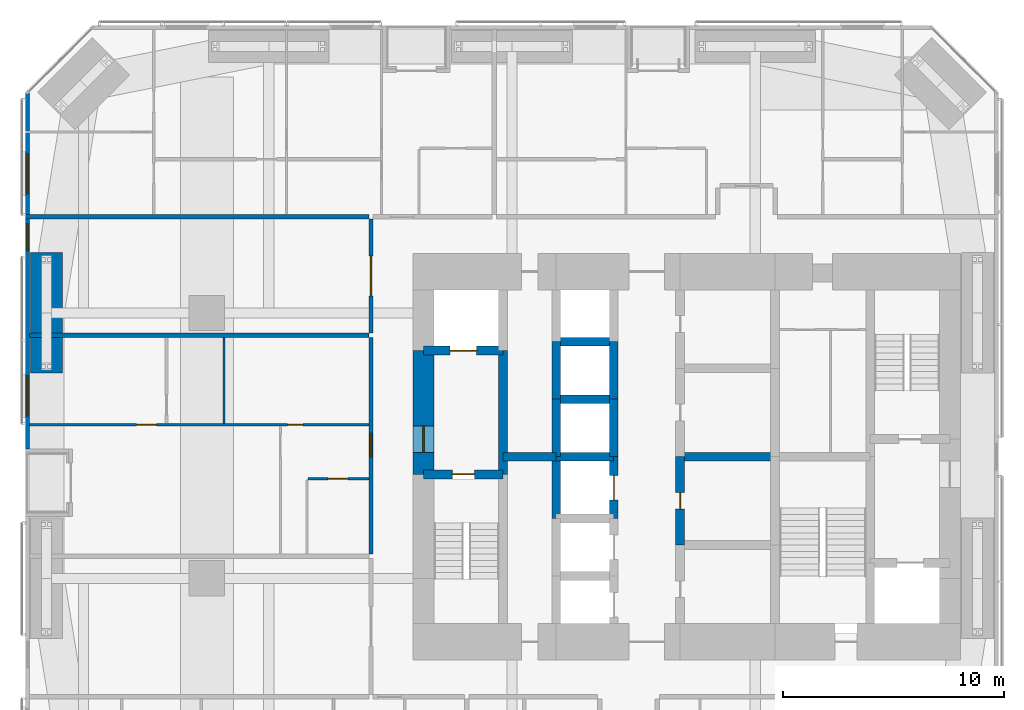
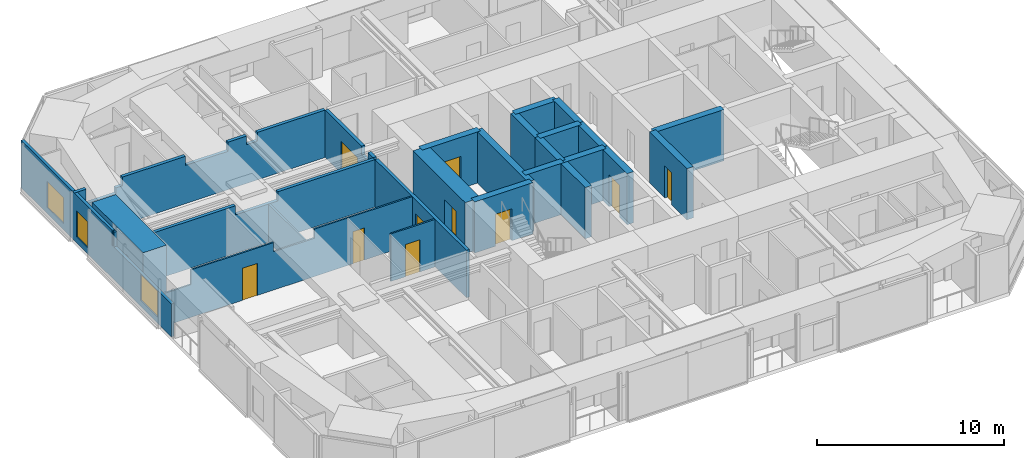
# One storey, part 18 of 23: 25 walls, 10 doors, 3 windows, 13 openings.
"""IFC4 building model written with IfcOpenShell, lengths in metres."""

from ifc_helpers import new_model, si_unit, direction, frame, frame_2d, origin, place, context, subcontext, project, spatial, polyline, rectangle, outline, extrude, material, layer, layer_set, constituent, constituent_set, type_object, element, fill, save


model = new_model("IFC4")

# Units and contexts
model_context = context("Model", 3, precision=1e-05, world=origin(), true_north=direction((0.0, 1.0)))
body_context = subcontext(model_context, "Body", "Model", "MODEL_VIEW")
ifc_project = project(units=[si_unit("LENGTHUNIT", "METRE"), si_unit("AREAUNIT", "SQUARE_METRE"), si_unit("VOLUMEUNIT", "CUBIC_METRE"), si_unit("PLANEANGLEUNIT", "RADIAN"), si_unit("MASSUNIT", "GRAM", prefix="KILO")], contexts=[model_context])

# Site, building, storey
site_placement = place(None, origin())
site = spatial("IfcSite", under=ifc_project, at=site_placement, CompositionType="ELEMENT")
building_placement = place(site_placement, origin())
building = spatial("IfcBuilding", under=site, at=building_placement, Name="Jalousie Tower", CompositionType="ELEMENT")
storey_placement = place(building_placement, frame((0.0, 0.0, 37.75)))
storey = spatial("IfcBuildingStorey", under=building, at=storey_placement, Name="L09", CompositionType="ELEMENT", Elevation=37.75)

# Walls
ifc_material_1 = material(Name="Concrete f'c 120 MPa", Category="concrete")
ifc_layer_1 = layer(ifc_material_1, 0.39990234375)
ifc_layer_set_1 = layer_set([ifc_layer_1], Name="Concrete f'c 120 MPa")
wall_type_1 = type_object("IfcWallType", Name="CORE WALL 400", PredefinedType="SHEAR", material=ifc_layer_set_1)
wall_1_placement = place(storey_placement, frame((23.60009765625, 17.699951171875, 0.0), z_axis=(0.0, 0.0, 1.0), x_axis=(0.0, 1.0, 0.0)))
element("IfcWall", 1, at=wall_1_placement, inside=storey, type_object=wall_type_1, Name="Core wall X23.6B L09", PredefinedType="SHEAR", context=body_context, shape_type="SweptSolid", body=[
    extrude(rectangle(XDim=5.60009765625, YDim=0.39990234375, at=frame_2d((2.800048828125, 0.0))), origin(), (0.0, 0.0, 1.0), 3.35009765625),
])
wall_2_placement = place(storey_placement, frame((26.0, 15.699951171875, 0.0), z_axis=(0.0, 0.0, 1.0), x_axis=(0.0, 1.0, 0.0)))
element("IfcWall", 2, at=wall_2_placement, inside=storey, type_object=wall_type_1, Name="Core wall X26C L09", PredefinedType="SHEAR", context=body_context, shape_type="SweptSolid", body=[
    extrude(rectangle(XDim=2.800048828125, YDim=0.39990234375, at=frame_2d((1.39990234375, 0.0))), origin(), (0.0, 0.0, 1.0), 3.35009765625),
])
wall_3_placement = place(storey_placement, frame((26.0, 18.5, 0.0), z_axis=(0.0, 0.0, 1.0), x_axis=(0.0, 1.0, 0.0)))
element("IfcWall", 3, at=wall_3_placement, inside=storey, type_object=wall_type_1, Name="Core wall X26D L09", PredefinedType="SHEAR", context=body_context, shape_type="SweptSolid", body=[
    extrude(rectangle(XDim=2.60009765625, YDim=0.39990234375, at=frame_2d((1.300048828125, 0.0))), origin(), (0.0, 0.0, 1.0), 3.35009765625),
])
wall_4_placement = place(storey_placement, frame((26.0, 21.10009765625, 0.0), z_axis=(0.0, 0.0, 1.0), x_axis=(0.0, 1.0, 0.0)))
element("IfcWall", 4, at=wall_4_placement, inside=storey, type_object=wall_type_1, Name="Core wall X26E L09", PredefinedType="SHEAR", context=body_context, shape_type="SweptSolid", body=[
    extrude(rectangle(XDim=2.599853515625, YDim=0.39990234375, at=frame_2d((1.2998046875, 0.0))), origin(), (0.0, 0.0, 1.0), 3.35009765625),
])

# Wall, opening, door
wall_5_placement = place(storey_placement, frame((28.60009765625, 15.699951171875, 0.0), z_axis=(0.0, 0.0, 1.0), x_axis=(0.0, 1.0, 0.0)))
wall_5 = element("IfcWall", 5, at=wall_5_placement, inside=storey, type_object=wall_type_1, Name="Core wall X28.6C L09", PredefinedType="SHEAR", context=body_context, shape_type="SweptSolid", body=[
    extrude(rectangle(XDim=2.800048828125, YDim=0.39990234375, at=frame_2d((1.39990234375, 0.0))), origin(), (0.0, 0.0, 1.0), 3.35009765625),
])
opening_1_placement = place(wall_5_placement, frame((0.85009765625, 0.0, 0.0)))
opening_1 = element("IfcOpeningElement", 6, at=opening_1_placement, cuts=wall_5, Name="Opening LD1", PredefinedType="OPENING", context=body_context, shape_type="SweptSolid", body=[
    extrude(rectangle(XDim=1.10009765625, YDim=2.10009765625, at=frame_2d((0.550048828125, 1.050048828125))), frame((0.0, 0.2099609375, 0.0), z_axis=(0.0, -1.0, 0.0), x_axis=(1.0, 0.0, 0.0)), (0.0, 0.0, 1.0), 0.419921875),
])
ifc_material_2 = material(Name="Steel lift landing door", Category="steel")
door_type_1 = type_object("IfcDoorType", Name="LIFT LANDING DOOR 1100", OperationType="SLIDING_TO_LEFT", PredefinedType="DOOR", material=ifc_material_2)
door_1_placement = place(opening_1_placement, origin())
door_1 = element("IfcDoor", 7, at=door_1_placement, inside=storey, type_object=door_type_1, Name="Lift P3 landing door", OperationType="SLIDING_TO_LEFT", OverallHeight=2.10009765625, OverallWidth=1.10009765625, PredefinedType="DOOR", context=body_context, shape_type="SweptSolid", body=[
    extrude(rectangle(XDim=1.10009765625, YDim=2.10009765625, at=frame_2d((0.550048828125, 1.050048828125))), frame((0.0, 0.02490234375, 0.0), z_axis=(0.0, -1.0, 0.0), x_axis=(1.0, 0.0, 0.0)), (0.0, 0.0, 1.0), 0.050048828125),
])
fill(opening_1, door_1)

# Walls
wall_6_placement = place(storey_placement, frame((28.60009765625, 18.5, 0.0), z_axis=(0.0, 0.0, 1.0), x_axis=(0.0, 1.0, 0.0)))
element("IfcWall", 8, at=wall_6_placement, inside=storey, type_object=wall_type_1, Name="Core wall X28.6D L09", PredefinedType="SHEAR", context=body_context, shape_type="SweptSolid", body=[
    extrude(rectangle(XDim=2.60009765625, YDim=0.39990234375, at=frame_2d((1.300048828125, 0.0))), origin(), (0.0, 0.0, 1.0), 3.35009765625),
])
wall_7_placement = place(storey_placement, frame((28.60009765625, 21.10009765625, 0.0), z_axis=(0.0, 0.0, 1.0), x_axis=(0.0, 1.0, 0.0)))
element("IfcWall", 9, at=wall_7_placement, inside=storey, type_object=wall_type_1, Name="Core wall X28.6E L09", PredefinedType="SHEAR", context=body_context, shape_type="SweptSolid", body=[
    extrude(rectangle(XDim=2.599853515625, YDim=0.39990234375, at=frame_2d((1.2998046875, 0.0))), origin(), (0.0, 0.0, 1.0), 3.35009765625),
])

# Wall, opening, door
wall_8_placement = place(storey_placement, frame((31.60009765625, 14.5, 0.0), z_axis=(0.0, 0.0, 1.0), x_axis=(0.0, 1.0, 0.0)))
wall_8 = element("IfcWall", 10, at=wall_8_placement, inside=storey, type_object=wall_type_1, Name="Core wall X31.6B L09", PredefinedType="SHEAR", context=body_context, shape_type="SweptSolid", body=[
    extrude(rectangle(XDim=4.0, YDim=0.39990234375, at=frame_2d((2.0, 0.0))), origin(), (0.0, 0.0, 1.0), 3.35009765625),
])
opening_2_placement = place(wall_8_placement, frame((1.625, 0.0, 0.0)))
opening_2 = element("IfcOpeningElement", 11, at=opening_2_placement, cuts=wall_8, Name="Opening D16", PredefinedType="OPENING", context=body_context, shape_type="SweptSolid", body=[
    extrude(rectangle(XDim=0.75, YDim=2.10009765625, at=frame_2d((0.375, 1.050048828125))), frame((0.0, 0.2099609375, 0.0), z_axis=(0.0, -1.0, 0.0), x_axis=(1.0, 0.0, 0.0)), (0.0, 0.0, 1.0), 0.419921875),
])
ifc_material_3 = material(Name="Steel fire door", Category="steel")
door_type_2 = type_object("IfcDoorType", Name="RISER DOOR 750", OperationType="SINGLE_SWING_LEFT", PredefinedType="DOOR", material=ifc_material_3)
door_2_placement = place(opening_2_placement, frame((0.75, 0.0, 0.0), z_axis=(0.0, 0.0, 1.0), x_axis=(-1.0, 0.0, 0.0)))
door_2 = element("IfcDoor", 12, at=door_2_placement, inside=storey, type_object=door_type_2, Name="Electrical Room door", OperationType="SINGLE_SWING_LEFT", OverallHeight=2.10009765625, OverallWidth=0.75, PredefinedType="DOOR", context=body_context, shape_type="SweptSolid", body=[
    extrude(rectangle(XDim=0.75, YDim=2.10009765625, at=frame_2d((0.375, 1.050048828125))), frame((0.0, 0.02490234375, 0.0), z_axis=(0.0, -1.0, 0.0), x_axis=(1.0, 0.0, 0.0)), (0.0, 0.0, 1.0), 0.050048828125),
])
fill(opening_2, door_2)

wall_9_placement = place(storey_placement, frame((20.0, 17.699951171875, 0.0), z_axis=(0.0, 0.0, 1.0), x_axis=(1.0, 0.0, 0.0)))
wall_9 = element("IfcWall", 13, at=wall_9_placement, inside=storey, type_object=wall_type_1, Name="Core wall Y20-17.7 L09", PredefinedType="SHEAR", context=body_context, shape_type="SweptSolid", body=[
    extrude(rectangle(XDim=3.60009765625, YDim=0.39990234375, at=frame_2d((1.800048828125, 0.0))), origin(), (0.0, 0.0, 1.0), 3.35009765625),
])
opening_3_placement = place(wall_9_placement, frame((1.300048828125, 0.0, 0.0)))
opening_3 = element("IfcOpeningElement", 14, at=opening_3_placement, cuts=wall_9, Name="Opening D10", PredefinedType="OPENING", context=body_context, shape_type="SweptSolid", body=[
    extrude(rectangle(XDim=1.0, YDim=2.10009765625, at=frame_2d((0.5, 1.050048828125))), frame((0.0, 0.2099609375, 0.0), z_axis=(0.0, -1.0, 0.0), x_axis=(1.0, 0.0, 0.0)), (0.0, 0.0, 1.0), 0.419921875),
])
ifc_material_4 = material(Name="Steel fire door", Category="steel")
door_type_3 = type_object("IfcDoorType", Name="STAIR DOOR 1000", OperationType="SINGLE_SWING_LEFT", PredefinedType="DOOR", material=ifc_material_4)
door_3_placement = place(opening_3_placement, frame((1.0, 0.0, 0.0), z_axis=(0.0, 0.0, 1.0), x_axis=(-1.0, 0.0, 0.0)))
door_3 = element("IfcDoor", 15, at=door_3_placement, inside=storey, type_object=door_type_3, Name="Exit stair A door", OperationType="SINGLE_SWING_RIGHT", OverallHeight=2.10009765625, OverallWidth=1.0, PredefinedType="DOOR", context=body_context, shape_type="SweptSolid", body=[
    extrude(rectangle(XDim=1.0, YDim=2.10009765625, at=frame_2d((0.5, 1.050048828125))), frame((0.0, 0.02490234375, 0.0), z_axis=(0.0, -1.0, 0.0), x_axis=(1.0, 0.0, 0.0)), (0.0, 0.0, 1.0), 0.050048828125),
])
fill(opening_3, door_3)

wall_10_placement = place(storey_placement, frame((20.0, 23.300048828125, 0.0), z_axis=(0.0, 0.0, 1.0), x_axis=(1.0, 0.0, 0.0)))
wall_10 = element("IfcWall", 16, at=wall_10_placement, inside=storey, type_object=wall_type_1, Name="Core wall Y20-23.3 L09", PredefinedType="SHEAR", context=body_context, shape_type="SweptSolid", body=[
    extrude(rectangle(XDim=3.60009765625, YDim=0.39990234375, at=frame_2d((1.800048828125, 0.0))), origin(), (0.0, 0.0, 1.0), 3.35009765625),
])
opening_4_placement = place(wall_10_placement, frame((1.199951171875, 0.0, 0.0)))
opening_4 = element("IfcOpeningElement", 17, at=opening_4_placement, cuts=wall_10, Name="Opening LD2", PredefinedType="OPENING", context=body_context, shape_type="SweptSolid", body=[
    extrude(rectangle(XDim=1.199951171875, YDim=2.10009765625, at=frame_2d((0.60009765625, 1.050048828125))), frame((0.0, 0.2099609375, 0.0), z_axis=(0.0, -1.0, 0.0), x_axis=(1.0, 0.0, 0.0)), (0.0, 0.0, 1.0), 0.419921875),
])
ifc_material_5 = material(Name="Steel lift landing door", Category="steel")
door_type_4 = type_object("IfcDoorType", Name="LIFT LANDING DOOR 1200", OperationType="SLIDING_TO_LEFT", PredefinedType="DOOR", material=ifc_material_5)
door_4_placement = place(opening_4_placement, origin())
door_4 = element("IfcDoor", 18, at=door_4_placement, inside=storey, type_object=door_type_4, Name="Lift F1 landing door", OperationType="SLIDING_TO_LEFT", OverallHeight=2.10009765625, OverallWidth=1.199951171875, PredefinedType="DOOR", context=body_context, shape_type="SweptSolid", body=[
    extrude(rectangle(XDim=1.199951171875, YDim=2.10009765625, at=frame_2d((0.60009765625, 1.050048828125))), frame((0.0, 0.02490234375, 0.0), z_axis=(0.0, -1.0, 0.0), x_axis=(1.0, 0.0, 0.0)), (0.0, 0.0, 1.0), 0.050048828125),
])
fill(opening_4, door_4)

# Walls
wall_11_placement = place(storey_placement, frame((23.60009765625, 18.5, 0.0), z_axis=(0.0, 0.0, 1.0), x_axis=(1.0, 0.0, 0.0)))
element("IfcWall", 19, at=wall_11_placement, inside=storey, type_object=wall_type_1, Name="Core wall Y23.6-18.5 L09", PredefinedType="SHEAR", context=body_context, shape_type="SweptSolid", body=[
    extrude(rectangle(XDim=2.39990234375, YDim=0.39990234375, at=frame_2d((1.199951171875, 0.0))), origin(), (0.0, 0.0, 1.0), 3.35009765625),
])
for number, where, z_axis, x_axis, name in (
    (20, (26.0, 18.5, 0.0), (0.0, 0.0, 1.0), (1.0, 0.0, 0.0), "Core wall Y26-18.5 L09"),
    (21, (26.0, 21.10009765625, 0.0), (0.0, 0.0, 1.0), (1.0, 0.0, 0.0), "Core wall Y26-21.1 L09"),
    (22, (26.0, 23.699951171875, 0.0), (0.0, 0.0, 1.0), (1.0, 0.0, 0.0), "Core wall Y26-23.7 L09"),
):
    element("IfcWall", number, at=place(storey_placement, frame(where, z_axis=z_axis, x_axis=x_axis)), inside=storey, type_object=wall_type_1, Name=name, PredefinedType="SHEAR", context=body_context, shape_type="SweptSolid", body=[
        extrude(rectangle(XDim=2.60009765625, YDim=0.39990234375, at=frame_2d((1.300048828125, 0.0))), origin(), (0.0, 0.0, 1.0), 3.35009765625),
    ])
wall_12_placement = place(storey_placement, frame((31.60009765625, 18.5, 0.0), z_axis=(0.0, 0.0, 1.0), x_axis=(1.0, 0.0, 0.0)))
element("IfcWall", 23, at=wall_12_placement, inside=storey, type_object=wall_type_1, Name="Core wall Y31.6-18.5 L09", PredefinedType="SHEAR", context=body_context, shape_type="SweptSolid", body=[
    extrude(rectangle(XDim=4.2998046875, YDim=0.39990234375, at=frame_2d((2.14990234375, 0.0))), origin(), (0.0, 0.0, 1.0), 3.35009765625),
])

# Wall, opening, door
ifc_material_6 = material(Name="Concrete f'c 120 MPa", Category="concrete")
ifc_layer_2 = layer(ifc_material_6, 0.949951171875)
ifc_layer_set_2 = layer_set([ifc_layer_2], Name="Concrete f'c 120 MPa")
wall_type_2 = type_object("IfcWallType", Name="CORE WALL 950", PredefinedType="SHEAR", material=ifc_layer_set_2)
wall_13_placement = place(storey_placement, frame((20.0, 23.300048828125, 0.0), z_axis=(0.0, 0.0, 1.0), x_axis=(0.0, -1.0, 0.0)))
wall_13 = element("IfcWall", 24, at=wall_13_placement, inside=storey, type_object=wall_type_2, Name="Core wall WB L09", PredefinedType="SHEAR", context=body_context, shape_type="SweptSolid", body=[
    extrude(rectangle(XDim=5.60009765625, YDim=0.949951171875, at=frame_2d((2.800048828125, 0.0))), origin(), (0.0, 0.0, 1.0), 3.35009765625),
])
opening_5_placement = place(wall_13_placement, frame((3.39990234375, 0.0, 0.0)))
opening_5 = element("IfcOpeningElement", 25, at=opening_5_placement, cuts=wall_13, Name="Opening D11", PredefinedType="OPENING", context=body_context, shape_type="SweptSolid", body=[
    extrude(rectangle(XDim=1.199951171875, YDim=2.199951171875, at=frame_2d((0.60009765625, 1.10009765625))), frame((0.0, 0.48486328125, 0.0), z_axis=(0.0, -1.0, 0.0), x_axis=(1.0, 0.0, 0.0)), (0.0, 0.0, 1.0), 0.969970703125),
])
ifc_material_7 = material(Name="Steel fire door", Category="steel")
door_type_5 = type_object("IfcDoorType", Name="FIRE DOOR 1200", OperationType="SINGLE_SWING_LEFT", PredefinedType="DOOR", material=ifc_material_7)
door_5_placement = place(opening_5_placement, origin())
door_5 = element("IfcDoor", 26, at=door_5_placement, inside=storey, type_object=door_type_5, Name="Fire-fighting lobby A door", OperationType="SINGLE_SWING_RIGHT", OverallHeight=2.199951171875, OverallWidth=1.199951171875, PredefinedType="DOOR", context=body_context, shape_type="SweptSolid", body=[
    extrude(rectangle(XDim=1.199951171875, YDim=2.199951171875, at=frame_2d((0.60009765625, 1.10009765625))), frame((0.0, 0.02490234375, 0.0), z_axis=(0.0, -1.0, 0.0), x_axis=(1.0, 0.0, 0.0)), (0.0, 0.0, 1.0), 0.050048828125),
])
fill(opening_5, door_5)

ifc_material_8 = material(Name="Concrete block ASTM C90", Category="concrete")
ifc_constituent_1 = constituent(ifc_material_8, Name="Body")
ifc_material_9 = material(Name="Render")
ifc_constituent_2 = constituent(ifc_material_9, Name="Finish")
ifc_constituent_set_1 = constituent_set(constituents=[ifc_constituent_1, ifc_constituent_2])
wall_type_3 = type_object("IfcWallType", Name="CORRIDOR WALL 200", PredefinedType="PARTITIONING", material=ifc_constituent_set_1)
wall_14_placement = place(storey_placement, frame((17.625, 14.10009765625, 0.0), z_axis=(0.0, 0.0, 1.0), x_axis=(0.0, 1.0, 0.0)))
wall_14 = element("IfcWall", 27, at=wall_14_placement, inside=storey, type_object=wall_type_3, Name="Corridor Wall 200 L09", PredefinedType="PARTITIONING", context=body_context, shape_type="SweptSolid", body=[
    extrude(rectangle(XDim=9.7998046875, YDim=0.199951171875, at=frame_2d((4.89990234375, 0.0))), origin(), (0.0, 0.0, 1.0), 3.110107421875),
])
opening_6_placement = place(wall_14_placement, frame((4.39990234375, 0.0, 0.0)))
opening_6 = element("IfcOpeningElement", 28, at=opening_6_placement, cuts=wall_14, Name="Opening D1", PredefinedType="OPENING", context=body_context, shape_type="SweptSolid", body=[
    extrude(rectangle(XDim=1.050048828125, YDim=2.199951171875, at=frame_2d((0.52490234375, 1.10009765625))), frame((0.0, 0.10986328125, 0.0), z_axis=(0.0, -1.0, 0.0), x_axis=(1.0, 0.0, 0.0)), (0.0, 0.0, 1.0), 0.219970703125),
])
ifc_material_10 = material(Name="Timber fire door", Category="wood")
door_type_6 = type_object("IfcDoorType", Name="APARTMENT ENTRANCE DOOR 1050", OperationType="SINGLE_SWING_LEFT", PredefinedType="DOOR", material=ifc_material_10)
door_6_placement = place(opening_6_placement, origin())
door_6 = element("IfcDoor", 29, at=door_6_placement, inside=storey, type_object=door_type_6, Name="Apartment 0906 entrance", OperationType="SINGLE_SWING_RIGHT", OverallHeight=2.199951171875, OverallWidth=1.050048828125, PredefinedType="DOOR", context=body_context, shape_type="SweptSolid", body=[
    extrude(rectangle(XDim=1.050048828125, YDim=2.199951171875, at=frame_2d((0.52490234375, 1.10009765625))), frame((0.0, 0.02490234375, 0.0), z_axis=(0.0, -1.0, 0.0), x_axis=(1.0, 0.0, 0.0)), (0.0, 0.0, 1.0), 0.050048828125),
])
fill(opening_6, door_6)

wall_15_placement = place(storey_placement, frame((17.625, 24.10009765625, 0.0), z_axis=(0.0, 0.0, 1.0), x_axis=(0.0, 1.0, 0.0)))
wall_15 = element("IfcWall", 30, at=wall_15_placement, inside=storey, type_object=wall_type_3, Name="Corridor Wall 200 L09", PredefinedType="PARTITIONING", context=body_context, shape_type="SweptSolid", body=[
    extrude(outline(polyline([(0.0, 0.0), (5.14990234375, 0.0), (5.14990234375, 3.110107421875), (1.2373046875, 3.110107421875), (1.2373046875, 2.541015625), (0.5625, 2.541015625), (0.5625, 3.110107421875), (0.0, 3.110107421875), (0.0, 0.0)])), frame((0.0, 0.10009765625, 0.0), z_axis=(0.0, -1.0, 0.0), x_axis=(1.0, 0.0, 0.0)), (0.0, 0.0, 1.0), 0.199951171875),
])
opening_7_placement = place(wall_15_placement, frame((1.675048828125, 0.0, 0.0)))
opening_7 = element("IfcOpeningElement", 31, at=opening_7_placement, cuts=wall_15, Name="Opening D22", PredefinedType="OPENING", context=body_context, shape_type="SweptSolid", body=[
    extrude(rectangle(XDim=1.800048828125, YDim=2.10009765625, at=frame_2d((0.89990234375, 1.050048828125))), frame((0.0, 0.10986328125, 0.0), z_axis=(0.0, -1.0, 0.0), x_axis=(1.0, 0.0, 0.0)), (0.0, 0.0, 1.0), 0.219970703125),
])
ifc_material_11 = material(Name="Timber fire door", Category="wood")
door_type_7 = type_object("IfcDoorType", Name="CORRIDOR DOUBLE DOOR 1800", OperationType="DOUBLE_DOOR_SINGLE_SWING", PredefinedType="DOOR", material=ifc_material_11)
door_7_placement = place(opening_7_placement, origin())
door_7 = element("IfcDoor", 32, at=door_7_placement, inside=storey, type_object=door_type_7, Name="Residents' library door", OperationType="DOUBLE_DOOR_SINGLE_SWING", OverallHeight=2.10009765625, OverallWidth=1.800048828125, PredefinedType="DOOR", context=body_context, shape_type="SweptSolid", body=[
    extrude(rectangle(XDim=1.800048828125, YDim=2.10009765625, at=frame_2d((0.89990234375, 1.050048828125))), frame((0.0, 0.02490234375, 0.0), z_axis=(0.0, -1.0, 0.0), x_axis=(1.0, 0.0, 0.0)), (0.0, 0.0, 1.0), 0.050048828125),
])
fill(opening_7, door_7)

# Wall, openings, windows
ifc_material_12 = material(Name="Concrete f'c 40 MPa", Category="concrete")
ifc_constituent_3 = constituent(ifc_material_12, Name="Body")
ifc_material_13 = material(Name="Render, pastel coral")
ifc_constituent_4 = constituent(ifc_material_13, Name="Finish")
ifc_constituent_set_2 = constituent_set(constituents=[ifc_constituent_3, ifc_constituent_4])
wall_type_4 = type_object("IfcWallType", Name="EXTERNAL WALL 175 CORAL RENDER", PredefinedType="SOLIDWALL", material=ifc_constituent_set_2)
wall_16_placement = place(storey_placement, frame((2.08740234375, 34.94873046875, 0.0), z_axis=(0.0, 0.0, 1.0), x_axis=(0.0, -1.0, 0.0)))
wall_16 = element("IfcWall", 33, at=wall_16_placement, inside=storey, type_object=wall_type_4, Name="External Wall 175 Coral Render L09", PredefinedType="SOLIDWALL", context=body_context, shape_type="SweptSolid", body=[
    extrude(outline(polyline([(0.0, 0.0), (16.0986328125, 0.0), (16.0986328125, 2.14990234375), (9.94873046875, 2.14990234375), (9.94873046875, 3.110107421875), (9.822998046875, 3.110107421875), (9.822998046875, 2.14990234375), (9.72998046875, 2.14990234375), (9.72998046875, 3.110107421875), (0.0, 3.110107421875), (0.0, 0.0)])), frame((0.0, 0.08740234375, 0.0), z_axis=(0.0, -1.0, 0.0), x_axis=(1.0, 0.0, 0.0)), (0.0, 0.0, 1.0), 0.175048828125),
])
opening_8_placement = place(wall_16_placement, frame((2.75732421875, 0.0, 0.39990234375)))
opening_8 = element("IfcOpeningElement", 34, at=opening_8_placement, cuts=wall_16, Name="Opening W-BED170", PredefinedType="OPENING", context=body_context, shape_type="SweptSolid", body=[
    extrude(rectangle(XDim=1.800048828125, YDim=1.699951171875, at=frame_2d((0.89990234375, 0.85009765625))), frame((0.0, 0.097412109375, 0.0), z_axis=(0.0, -1.0, 0.0), x_axis=(1.0, 0.0, 0.0)), (0.0, 0.0, 1.0), 0.195068359375),
])
opening_9_placement = place(wall_16_placement, frame((5.923583984375, 0.0, 0.39990234375)))
opening_9 = element("IfcOpeningElement", 35, at=opening_9_placement, cuts=wall_16, Name="Opening W-COR170", PredefinedType="OPENING", context=body_context, shape_type="SweptSolid", body=[
    extrude(rectangle(XDim=1.199951171875, YDim=1.699951171875, at=frame_2d((0.60009765625, 0.85009765625))), frame((0.0, 0.097412109375, 0.0), z_axis=(0.0, -1.0, 0.0), x_axis=(1.0, 0.0, 0.0)), (0.0, 0.0, 1.0), 0.195068359375),
])
opening_10_placement = place(wall_16_placement, frame((12.798583984375, 0.0, 0.39990234375)))
opening_10 = element("IfcOpeningElement", 36, at=opening_10_placement, cuts=wall_16, Name="Opening W-BED170", PredefinedType="OPENING", context=body_context, shape_type="SweptSolid", body=[
    extrude(rectangle(XDim=1.800048828125, YDim=1.699951171875, at=frame_2d((0.89990234375, 0.85009765625))), frame((0.0, 0.097412109375, 0.0), z_axis=(0.0, -1.0, 0.0), x_axis=(1.0, 0.0, 0.0)), (0.0, 0.0, 1.0), 0.195068359375),
])
ifc_material_14 = material(Name="Aluminium frame, impact-rated glazing", Category="aluminium")
window_type_1 = type_object("IfcWindowType", Name="WINDOW BED 1800x1700", PartitioningType="SINGLE_PANEL", PredefinedType="WINDOW", material=ifc_material_14)
window_1_placement = place(opening_8_placement, origin())
window_1 = element("IfcWindow", 37, at=window_1_placement, inside=storey, type_object=window_type_1, Name="Apartment 0904 bedroom 1 window", OverallHeight=1.699951171875, OverallWidth=1.800048828125, PartitioningType="SINGLE_PANEL", PredefinedType="WINDOW", context=body_context, shape_type="SweptSolid", body=[
    extrude(rectangle(XDim=1.800048828125, YDim=1.699951171875, at=frame_2d((0.89990234375, 0.85009765625))), frame((0.0, 0.030029296875, 0.0), z_axis=(0.0, -1.0, 0.0), x_axis=(1.0, 0.0, 0.0)), (0.0, 0.0, 1.0), 0.06005859375),
])
fill(opening_8, window_1)
window_2_placement = place(opening_10_placement, origin())
window_2 = element("IfcWindow", 38, at=window_2_placement, inside=storey, type_object=window_type_1, Name="Apartment 0906 bedroom 1 window", OverallHeight=1.699951171875, OverallWidth=1.800048828125, PartitioningType="SINGLE_PANEL", PredefinedType="WINDOW", context=body_context, shape_type="SweptSolid", body=[
    extrude(rectangle(XDim=1.800048828125, YDim=1.699951171875, at=frame_2d((0.89990234375, 0.85009765625))), frame((0.0, 0.030029296875, 0.0), z_axis=(0.0, -1.0, 0.0), x_axis=(1.0, 0.0, 0.0)), (0.0, 0.0, 1.0), 0.06005859375),
])
fill(opening_10, window_2)
ifc_material_15 = material(Name="Aluminium frame, impact-rated glazing", Category="aluminium")
window_type_2 = type_object("IfcWindowType", Name="WINDOW COR 1200x1700", PartitioningType="SINGLE_PANEL", PredefinedType="WINDOW", material=ifc_material_15)
window_3_placement = place(opening_9_placement, origin())
window_3 = element("IfcWindow", 39, at=window_3_placement, inside=storey, type_object=window_type_2, Name="Residents' library window", OverallHeight=1.699951171875, OverallWidth=1.199951171875, PartitioningType="SINGLE_PANEL", PredefinedType="WINDOW", context=body_context, shape_type="SweptSolid", body=[
    extrude(rectangle(XDim=1.199951171875, YDim=1.699951171875, at=frame_2d((0.60009765625, 0.85009765625))), frame((0.0, 0.030029296875, 0.0), z_axis=(0.0, -1.0, 0.0), x_axis=(1.0, 0.0, 0.0)), (0.0, 0.0, 1.0), 0.06005859375),
])
fill(opening_9, window_3)

# Wall, openings, doors
ifc_material_16 = material(Name="Gypsum board", Category="gypsum")
ifc_constituent_5 = constituent(ifc_material_16, Name="Body")
ifc_material_17 = material(Name="Light-gauge steel studs ASTM A653 SS Grade 33", Category="steel")
ifc_constituent_6 = constituent(ifc_material_17, Name="Framing")
ifc_constituent_set_3 = constituent_set(constituents=[ifc_constituent_5, ifc_constituent_6])
wall_type_5 = type_object("IfcWallType", Name="PARTITION 100", PredefinedType="PARTITIONING", material=ifc_constituent_set_3)
wall_17_placement = place(storey_placement, frame((2.175048828125, 19.949951171875, 0.0), z_axis=(0.0, 0.0, 1.0), x_axis=(1.0, 0.0, 0.0)))
wall_17 = element("IfcWall", 40, at=wall_17_placement, inside=storey, type_object=wall_type_5, Name="Partition 100 L09", PredefinedType="PARTITIONING", context=body_context, shape_type="SweptSolid", body=[
    extrude(outline(polyline([(0.0, 0.0), (15.349853515625, 0.0), (15.35009765625, 3.110107421875), (9.284912109375, 3.110107421875), (9.284912109375, 2.510009765625), (6.764892578125, 2.510009765625), (6.764892578125, 3.110107421875), (1.635009765625, 3.110107421875), (1.635009765625, 2.14990234375), (0.0, 2.14990234375), (0.0, 3.110107421875), (0.0, 0.0)])), frame((0.0, 0.050048828125, 0.0), z_axis=(0.0, -1.0, 0.0), x_axis=(1.0, 0.0, 0.0)), (0.0, 0.0, 1.0), 0.10009765625),
])
opening_11_placement = place(wall_17_placement, frame((4.85009765625, 0.0, 0.0)))
opening_11 = element("IfcOpeningElement", 41, at=opening_11_placement, cuts=wall_17, Name="Opening D2", PredefinedType="OPENING", context=body_context, shape_type="SweptSolid", body=[
    extrude(rectangle(XDim=0.89990234375, YDim=2.10009765625, at=frame_2d((0.449951171875, 1.050048828125))), frame((0.0, 0.06005859375, 0.0), z_axis=(0.0, -1.0, 0.0), x_axis=(1.0, 0.0, 0.0)), (0.0, 0.0, 1.0), 0.1201171875),
])
opening_12_placement = place(wall_17_placement, frame((11.675048828125, 0.0, 0.0)))
opening_12 = element("IfcOpeningElement", 42, at=opening_12_placement, cuts=wall_17, Name="Opening D4", PredefinedType="OPENING", context=body_context, shape_type="SweptSolid", body=[
    extrude(rectangle(XDim=0.699951171875, YDim=2.10009765625, at=frame_2d((0.35009765625, 1.050048828125))), frame((0.0, 0.06005859375, 0.0), z_axis=(0.0, -1.0, 0.0), x_axis=(1.0, 0.0, 0.0)), (0.0, 0.0, 1.0), 0.1201171875),
])
ifc_material_18 = material(Name="Timber door", Category="wood")
door_type_8 = type_object("IfcDoorType", Name="BEDROOM DOOR 900", OperationType="SINGLE_SWING_LEFT", PredefinedType="DOOR", material=ifc_material_18)
door_8_placement = place(opening_11_placement, origin())
door_8 = element("IfcDoor", 43, at=door_8_placement, inside=storey, type_object=door_type_8, Name="Apartment 0906 bedroom 1 door", OperationType="SINGLE_SWING_RIGHT", OverallHeight=2.10009765625, OverallWidth=0.89990234375, PredefinedType="DOOR", context=body_context, shape_type="SweptSolid", body=[
    extrude(rectangle(XDim=0.89990234375, YDim=2.10009765625, at=frame_2d((0.449951171875, 1.050048828125))), frame((0.0, 0.02490234375, 0.0), z_axis=(0.0, -1.0, 0.0), x_axis=(1.0, 0.0, 0.0)), (0.0, 0.0, 1.0), 0.050048828125),
])
fill(opening_11, door_8)
ifc_material_19 = material(Name="Timber door", Category="wood")
door_type_9 = type_object("IfcDoorType", Name="STORE DOOR 700", OperationType="SINGLE_SWING_LEFT", PredefinedType="DOOR", material=ifc_material_19)
door_9_placement = place(opening_12_placement, origin())
door_9 = element("IfcDoor", 44, at=door_9_placement, inside=storey, type_object=door_type_9, Name="Apartment 0906 store door", OperationType="SINGLE_SWING_LEFT", OverallHeight=2.10009765625, OverallWidth=0.699951171875, PredefinedType="DOOR", context=body_context, shape_type="SweptSolid", body=[
    extrude(rectangle(XDim=0.699951171875, YDim=2.10009765625, at=frame_2d((0.35009765625, 1.050048828125))), frame((0.0, 0.02490234375, 0.0), z_axis=(0.0, -1.0, 0.0), x_axis=(1.0, 0.0, 0.0)), (0.0, 0.0, 1.0), 0.050048828125),
])
fill(opening_12, door_9)

# Wall
wall_18_placement = place(storey_placement, frame((10.97509765625, 20.0, 0.0), z_axis=(0.0, 0.0, 1.0), x_axis=(0.0, 1.0, 0.0)))
element("IfcWall", 45, at=wall_18_placement, inside=storey, type_object=wall_type_5, Name="Partition 100 L09", PredefinedType="PARTITIONING", context=body_context, shape_type="SweptSolid", body=[
    extrude(outline(polyline([(0.0, 0.0), (3.89990234375, 0.0), (3.89990234375, 3.110107421875), (3.89990234375, 2.510009765625), (0.0, 2.510009765625), (0.0, 3.110107421875), (0.0, 0.0)])), frame((0.0, 0.050048828125, 0.0), z_axis=(0.0, -1.0, 0.0), x_axis=(1.0, 0.0, 0.0)), (0.0, 0.0, 1.0), 0.10009765625),
])

# Wall, opening, door
wall_19_placement = place(storey_placement, frame((14.77490234375, 17.5, 0.0), z_axis=(0.0, 0.0, 1.0), x_axis=(1.0, 0.0, 0.0)))
wall_19 = element("IfcWall", 46, at=wall_19_placement, inside=storey, type_object=wall_type_5, Name="Partition 100 L09", PredefinedType="PARTITIONING", context=body_context, shape_type="SweptSolid", body=[
    extrude(rectangle(XDim=2.75, YDim=0.10009765625, at=frame_2d((1.375, 0.0))), origin(), (0.0, 0.0, 1.0), 3.110107421875),
])
opening_13_placement = place(wall_19_placement, frame((0.89990234375, 0.0, 0.0)))
opening_13 = element("IfcOpeningElement", 47, at=opening_13_placement, cuts=wall_19, Name="Opening D7", PredefinedType="OPENING", context=body_context, shape_type="SweptSolid", body=[
    extrude(rectangle(XDim=0.89990234375, YDim=2.10009765625, at=frame_2d((0.449951171875, 1.050048828125))), frame((0.0, 0.06005859375, 0.0), z_axis=(0.0, -1.0, 0.0), x_axis=(1.0, 0.0, 0.0)), (0.0, 0.0, 1.0), 0.1201171875),
])
ifc_material_20 = material(Name="Timber door", Category="wood")
door_type_10 = type_object("IfcDoorType", Name="INTERNAL DOOR 900", OperationType="SINGLE_SWING_LEFT", PredefinedType="DOOR", material=ifc_material_20)
door_10_placement = place(opening_13_placement, frame((0.89990234375, 0.0, 0.0), z_axis=(0.0, 0.0, 1.0), x_axis=(-1.0, 0.0, 0.0)))
door_10 = element("IfcDoor", 48, at=door_10_placement, inside=storey, type_object=door_type_10, Name="Apartment 0906 kitchen door", OperationType="SINGLE_SWING_RIGHT", OverallHeight=2.10009765625, OverallWidth=0.89990234375, PredefinedType="DOOR", context=body_context, shape_type="SweptSolid", body=[
    extrude(rectangle(XDim=0.89990234375, YDim=2.10009765625, at=frame_2d((0.449951171875, 1.050048828125))), frame((0.0, 0.02490234375, 0.0), z_axis=(0.0, -1.0, 0.0), x_axis=(1.0, 0.0, 0.0)), (0.0, 0.0, 1.0), 0.050048828125),
])
fill(opening_13, door_10)

# Walls
ifc_material_21 = material(Name="Concrete block ASTM C90", Category="concrete")
ifc_constituent_7 = constituent(ifc_material_21, Name="Body")
ifc_material_22 = material(Name="Render")
ifc_constituent_8 = constituent(ifc_material_22, Name="Finish")
ifc_constituent_set_4 = constituent_set(constituents=[ifc_constituent_7, ifc_constituent_8])
wall_type_6 = type_object("IfcWallType", Name="PARTY WALL 200", PredefinedType="PARTITIONING", material=ifc_constituent_set_4)
wall_20_placement = place(storey_placement, frame((2.0, 29.35009765625, 0.0), z_axis=(0.0, 0.0, 1.0), x_axis=(1.0, 0.0, 0.0)))
element("IfcWall", 49, at=wall_20_placement, inside=storey, type_object=wall_type_6, Name="Party Wall 200 L09", PredefinedType="PARTITIONING", context=body_context, shape_type="SweptSolid", body=[
    extrude(outline(polyline([(0.0, 0.0), (15.52490234375, 0.0), (15.52490234375, 3.110107421875), (11.33740234375, 3.110107421875), (11.33740234375, 2.541015625), (10.66259765625, 2.541015625), (10.66259765625, 3.110107421875), (9.510009765625, 3.110107421875), (9.510009765625, 2.510009765625), (6.889892578125, 2.510009765625), (6.889892578125, 3.110107421875), (2.96875, 3.110107421875), (2.96875, 2.541015625), (2.577392578125, 2.541015625), (2.577392578125, 2.14990234375), (0.7333984375, 2.14990234375), (0.7333984375, 3.110107421875), (0.0, 3.110107421875), (0.0, 0.0)])), frame((0.0, 0.10009765625, 0.0), z_axis=(0.0, -1.0, 0.0), x_axis=(1.0, 0.0, 0.0)), (0.0, 0.0, 1.0), 0.199951171875),
])
wall_21_placement = place(storey_placement, frame((2.175048828125, 24.0, 0.0), z_axis=(0.0, 0.0, 1.0), x_axis=(1.0, 0.0, 0.0)))
element("IfcWall", 50, at=wall_21_placement, inside=storey, type_object=wall_type_6, Name="Party Wall 200 L09", PredefinedType="PARTITIONING", context=body_context, shape_type="SweptSolid", body=[
    extrude(outline(polyline([(0.52880859375, 2.14990234375), (0.0, 2.14990234375), (0.0, 0.0), (0.52880859375, 0.0), (0.52880859375, 0.815185546875), (1.021240234375, 0.815185546875), (1.021240234375, 0.0), (15.35009765625, 0.0), (15.35009765625, 3.110107421875), (9.3349609375, 3.110107421875), (9.3349609375, 2.510009765625), (6.715087890625, 2.510009765625), (6.715087890625, 3.110107421875), (1.68505859375, 3.110107421875), (1.68505859375, 2.14990234375), (1.021240234375, 2.14990234375), (1.021240234375, 1.334716796875), (0.52880859375, 1.334716796875), (0.52880859375, 2.14990234375)])), frame((0.0, 0.10009765625, 0.0), z_axis=(0.0, -1.0, 0.0), x_axis=(1.0, 0.0, 0.0)), (0.0, 0.0, 1.0), 0.199951171875),
])
ifc_material_23 = material(Name="Concrete f'c 120 MPa", Category="concrete")
ifc_layer_3 = layer(ifc_material_23, 1.449951171875)
ifc_layer_set_3 = layer_set([ifc_layer_3], Name="Concrete f'c 120 MPa")
wall_type_7 = type_object("IfcWallType", Name="RC WALL PIER 1450", PredefinedType="SHEAR", material=ifc_layer_set_3)
wall_22_placement = place(storey_placement, frame((2.949951171875, 22.27490234375, 0.0), z_axis=(0.0, 0.0, 1.0), x_axis=(0.0, 1.0, 0.0)))
element("IfcWall", 51, at=wall_22_placement, inside=storey, type_object=wall_type_7, Name="Wall pier 13 L09", PredefinedType="SHEAR", context=body_context, shape_type="SweptSolid", body=[
    extrude(rectangle(XDim=5.4501953125, YDim=1.449951171875, at=frame_2d((2.72509765625, 0.0))), origin(), (0.0, 0.0, 1.0), 3.35009765625),
])

save(model, "model.ifc")
